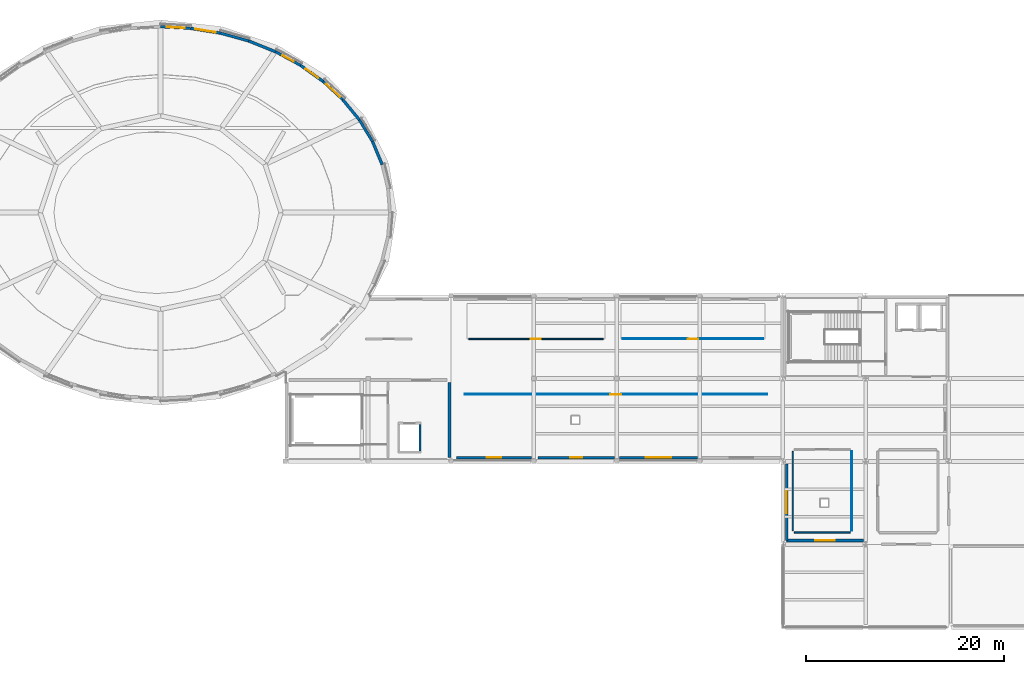
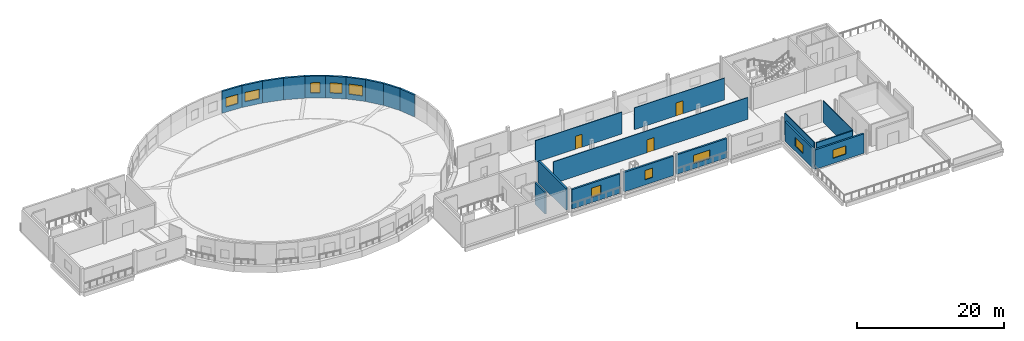
# One storey, part 9 of 16: 23 walls, 10 windows, 3 doors, 13 openings.
"""IFC4 building model written with IfcOpenShell, lengths in metres."""

from ifc_helpers import new_model, si_unit, derived_unit, direction, frame, frame_2d, origin, place, context, subcontext, project, spatial, rectangle, extrude, material, layer, layer_set, type_object, element, fill, save


model = new_model("IFC4")

# Units and contexts
model_context = context("Model", 3, precision=1e-05, world=origin(), true_north=direction((0.0, 1.0)))
body_context = subcontext(model_context, "Body", "Model", "MODEL_VIEW")
ifc_project = project(units=[si_unit("LENGTHUNIT", "METRE"), si_unit("AREAUNIT", "SQUARE_METRE"), si_unit("VOLUMEUNIT", "CUBIC_METRE"), si_unit("PLANEANGLEUNIT", "RADIAN"), si_unit("MASSUNIT", "GRAM", prefix="KILO"), derived_unit("THERMALTRANSMITTANCEUNIT", [(si_unit("POWERUNIT", "WATT"), 1), (si_unit("LENGTHUNIT", "METRE"), -2), (si_unit("THERMODYNAMICTEMPERATUREUNIT", "KELVIN"), -1)])], contexts=[model_context])

# Site, building, storey
site_placement = place(None, origin())
site = spatial("IfcSite", under=ifc_project, at=site_placement, CompositionType="ELEMENT")
building_placement = place(site_placement, origin())
building = spatial("IfcBuilding", under=site, at=building_placement, Name="Elbkamm Science Centre", CompositionType="ELEMENT")
storey_placement = place(building_placement, frame((0.0, 0.0, 21.60009765625)))
storey = spatial("IfcBuildingStorey", under=building, at=storey_placement, Name="L05", CompositionType="ELEMENT", Elevation=21.60009765625)

# Wall
ifc_material_1 = material(Name="Reinforced concrete C40/50", Category="concrete")
ifc_layer_1 = layer(ifc_material_1, 0.300048828125)
ifc_layer_set_1 = layer_set([ifc_layer_1], Name="Reinforced concrete C40/50")
wall_type_1 = type_object("IfcWallType", Name="WL-CORE-300", PredefinedType="SHEAR", material=ifc_layer_set_1)
wall_1_placement = place(storey_placement, frame((92.25, 42.419921875, 0.0), z_axis=(0.0, 0.0, 1.0), x_axis=(0.0, 1.0, 0.0)))
element("IfcWall", 1, at=wall_1_placement, inside=storey, type_object=wall_type_1, Name="L05 Core C2 Central Exhibition and Skybridge Core Shear Wall E", PredefinedType="SHEAR", context=body_context, shape_type="SweptSolid", body=[
    extrude(rectangle(XDim=7.56005859375, YDim=0.300048828125, at=frame_2d((3.780029296875, 0.0))), origin(), (0.0, 0.0, 1.0), 3.639892578125),
])

# Wall, opening, window
ifc_material_2 = material(Name="White precast concrete C40/50", Category="concrete")
ifc_layer_2 = layer(ifc_material_2, 0.27001953125)
ifc_layer_set_2 = layer_set([ifc_layer_2], Name="White precast concrete C40/50")
wall_type_2 = type_object("IfcWallType", Name="WL-EXT-270", PredefinedType="SOLIDWALL", material=ifc_layer_set_2)
wall_2_placement = place(storey_placement, frame((63.0, 86.01953125, 0.0), z_axis=(0.0, 0.0, 1.0), x_axis=(0.998581032149, -0.053253377668, 0.0)))
wall_2 = element("IfcWall", 2, at=wall_2_placement, inside=storey, type_object=wall_type_2, Name="L05 Exterior Wall 0319", PredefinedType="SOLIDWALL", context=body_context, shape_type="SweptSolid", body=[
    extrude(rectangle(XDim=3.044189453125, YDim=0.27001953125, at=frame_2d((1.52197265625, 0.0))), origin(), (0.0, 0.0, 1.0), 3.639892578125),
])
opening_1_placement = place(wall_2_placement, frame((0.6220703125, 0.0, 0.85009765625)))
opening_1 = element("IfcOpeningElement", 3, at=opening_1_placement, cuts=wall_2, Name="Opening W-11", PredefinedType="OPENING", context=body_context, shape_type="SweptSolid", body=[
    extrude(rectangle(XDim=1.800048828125, YDim=1.550048828125, at=frame_2d((0.89990234375, 0.77490234375))), frame((0.0, 0.14697265625, 0.0), z_axis=(0.0, -1.0, 0.0), x_axis=(1.0, 0.0, 0.0)), (0.0, 0.0, 1.0), 0.2939453125),
])
ifc_material_3 = material(Name="Thermally broken aluminium and triple solar glass", Category="aluminium")
ifc_layer_3 = layer(ifc_material_3, 0.06005859375)
ifc_layer_set_3 = layer_set([ifc_layer_3], Name="Thermally broken aluminium and triple solar glass")
window_type_1 = type_object("IfcWindowType", Name="WIN-1800x1550", PartitioningType="DOUBLE_PANEL_VERTICAL", PredefinedType="WINDOW", material=ifc_layer_set_3)
window_1_placement = place(opening_1_placement, origin())
window_1 = element("IfcWindow", 4, at=window_1_placement, inside=storey, type_object=window_type_1, Name="L05 Facade Window 0090", OverallHeight=1.550048828125, OverallWidth=1.800048828125, PartitioningType="SINGLE_PANEL", PredefinedType="WINDOW", context=body_context, shape_type="SweptSolid", body=[
    extrude(rectangle(XDim=1.800048828125, YDim=1.550048828125, at=frame_2d((0.89990234375, 0.77490234375))), frame((0.0, 0.030029296875, 0.0), z_axis=(0.0, -1.0, 0.0), x_axis=(1.0, 0.0, 0.0)), (0.0, 0.0, 1.0), 0.06005859375),
])
fill(opening_1, window_1)

# Wall
wall_3_placement = place(storey_placement, frame((69.02685546875, 85.3740234375, 0.0), z_axis=(0.0, 0.0, 1.0), x_axis=(0.963916809665, -0.26620365145, 0.0)))
element("IfcWall", 5, at=wall_3_placement, inside=storey, type_object=wall_type_2, Name="L05 Exterior Wall 0321", PredefinedType="SOLIDWALL", context=body_context, shape_type="SweptSolid", body=[
    extrude(rectangle(XDim=2.99072265625, YDim=0.27001953125, at=frame_2d((1.495361328125, 0.0))), origin(), (0.0, 0.0, 1.0), 3.639892578125),
])

# Wall, opening, window
wall_4_placement = place(storey_placement, frame((74.637939453125, 83.4833984375, 0.0), z_axis=(0.0, 0.0, 1.0), x_axis=(0.878572636194, -0.477608755083, 0.0)))
wall_4 = element("IfcWall", 6, at=wall_4_placement, inside=storey, type_object=wall_type_2, Name="L05 Exterior Wall 0323", PredefinedType="SOLIDWALL", context=body_context, shape_type="SweptSolid", body=[
    extrude(rectangle(XDim=2.87646484375, YDim=0.27001953125, at=frame_2d((1.438232421875, 0.0))), origin(), (0.0, 0.0, 1.0), 3.639892578125),
])
opening_2_placement = place(wall_4_placement, frame((0.7880859375, 0.0, 0.85009765625)))
opening_2 = element("IfcOpeningElement", 7, at=opening_2_placement, cuts=wall_4, Name="Opening W-15", PredefinedType="OPENING", context=body_context, shape_type="SweptSolid", body=[
    extrude(rectangle(XDim=1.300048828125, YDim=1.699951171875, at=frame_2d((0.64990234375, 0.85009765625))), frame((0.0, 0.14697265625, 0.0), z_axis=(0.0, -1.0, 0.0), x_axis=(1.0, 0.0, 0.0)), (0.0, 0.0, 1.0), 0.2939453125),
])
ifc_layer_4 = layer(ifc_material_3, 0.06005859375)
ifc_layer_set_4 = layer_set([ifc_layer_4], Name="Thermally broken aluminium and triple solar glass")
window_type_2 = type_object("IfcWindowType", Name="WIN-1300x1700", PartitioningType="SINGLE_PANEL", PredefinedType="WINDOW", material=ifc_layer_set_4)
window_2_placement = place(opening_2_placement, origin())
window_2 = element("IfcWindow", 8, at=window_2_placement, inside=storey, type_object=window_type_2, Name="L05 Facade Window 0094", OverallHeight=1.699951171875, OverallWidth=1.300048828125, PartitioningType="SINGLE_PANEL", PredefinedType="WINDOW", context=body_context, shape_type="SweptSolid", body=[
    extrude(rectangle(XDim=1.300048828125, YDim=1.699951171875, at=frame_2d((0.64990234375, 0.85009765625))), frame((0.0, 0.030029296875, 0.0), z_axis=(0.0, -1.0, 0.0), x_axis=(1.0, 0.0, 0.0)), (0.0, 0.0, 1.0), 0.06005859375),
])
fill(opening_2, window_2)

wall_5_placement = place(storey_placement, frame((79.447021484375, 80.481201171875, 0.0), z_axis=(0.0, 0.0, 1.0), x_axis=(0.733160179317, -0.680055991418, 0.0)))
wall_5 = element("IfcWall", 9, at=wall_5_placement, inside=storey, type_object=wall_type_2, Name="L05 Exterior Wall 0325", PredefinedType="SOLIDWALL", context=body_context, shape_type="SweptSolid", body=[
    extrude(rectangle(XDim=2.726318359375, YDim=0.27001953125, at=frame_2d((1.36328125, 0.0))), origin(), (0.0, 0.0, 1.0), 3.639892578125),
])
opening_3_placement = place(wall_5_placement, frame((0.4130859375, 0.0, 0.85009765625)))
opening_3 = element("IfcOpeningElement", 10, at=opening_3_placement, cuts=wall_5, Name="Opening W-17", PredefinedType="OPENING", context=body_context, shape_type="SweptSolid", body=[
    extrude(rectangle(XDim=1.89990234375, YDim=1.699951171875, at=frame_2d((0.949951171875, 0.85009765625))), frame((0.0, 0.14697265625, 0.0), z_axis=(0.0, -1.0, 0.0), x_axis=(1.0, 0.0, 0.0)), (0.0, 0.0, 1.0), 0.2939453125),
])
ifc_layer_5 = layer(ifc_material_3, 0.06005859375)
ifc_layer_set_5 = layer_set([ifc_layer_5], Name="Thermally broken aluminium and triple solar glass")
window_type_3 = type_object("IfcWindowType", Name="WIN-1900x1700", PartitioningType="DOUBLE_PANEL_VERTICAL", PredefinedType="WINDOW", material=ifc_layer_set_5)
window_3_placement = place(opening_3_placement, origin())
window_3 = element("IfcWindow", 11, at=window_3_placement, inside=storey, type_object=window_type_3, Name="L05 Facade Window 0096", OverallHeight=1.699951171875, OverallWidth=1.89990234375, PartitioningType="SINGLE_PANEL", PredefinedType="WINDOW", context=body_context, shape_type="SweptSolid", body=[
    extrude(rectangle(XDim=1.89990234375, YDim=1.699951171875, at=frame_2d((0.949951171875, 0.85009765625))), frame((0.0, 0.030029296875, 0.0), z_axis=(0.0, -1.0, 0.0), x_axis=(1.0, 0.0, 0.0)), (0.0, 0.0, 1.0), 0.06005859375),
])
fill(opening_3, window_3)

# Wall
wall_6_placement = place(storey_placement, frame((83.127197265625, 76.579833984375, 0.0), z_axis=(0.0, 0.0, 1.0), x_axis=(0.518417130332, -0.855127872881, 0.0)))
element("IfcWall", 12, at=wall_6_placement, inside=storey, type_object=wall_type_2, Name="L05 Exterior Wall 0327", PredefinedType="SOLIDWALL", context=body_context, shape_type="SweptSolid", body=[
    extrude(rectangle(XDim=2.578369140625, YDim=0.27001953125, at=frame_2d((1.2890625, 0.0))), origin(), (0.0, 0.0, 1.0), 3.639892578125),
])

# Wall, opening, window
wall_7_placement = place(storey_placement, frame((126.3798828125, 33.97998046875, 0.0), z_axis=(0.0, 0.0, 1.0), x_axis=(0.0, 1.0, 0.0)))
wall_7 = element("IfcWall", 13, at=wall_7_placement, inside=storey, type_object=wall_type_2, Name="L05 Exterior Wall 0341", PredefinedType="SOLIDWALL", context=body_context, shape_type="SweptSolid", body=[
    extrude(rectangle(XDim=7.781005859375, YDim=0.27001953125, at=frame_2d((3.890625, 0.0))), origin(), (0.0, 0.0, 1.0), 3.239990234375),
])
opening_4_placement = place(wall_7_placement, frame((2.79052734375, 0.0, 0.85009765625)))
opening_4 = element("IfcOpeningElement", 14, at=opening_4_placement, cuts=wall_7, Name="Opening W-06", PredefinedType="OPENING", context=body_context, shape_type="SweptSolid", body=[
    extrude(rectangle(XDim=2.199951171875, YDim=1.39990234375, at=frame_2d((1.10009765625, 0.699951171875))), frame((0.0, 0.14697265625, 0.0), z_axis=(0.0, -1.0, 0.0), x_axis=(1.0, 0.0, 0.0)), (0.0, 0.0, 1.0), 0.2939453125),
])
ifc_layer_6 = layer(ifc_material_3, 0.06005859375)
ifc_layer_set_6 = layer_set([ifc_layer_6], Name="Thermally broken aluminium and triple solar glass")
window_type_4 = type_object("IfcWindowType", Name="WIN-2200x1400", PartitioningType="DOUBLE_PANEL_VERTICAL", PredefinedType="WINDOW", material=ifc_layer_set_6)
window_4_placement = place(opening_4_placement, origin())
window_4 = element("IfcWindow", 15, at=window_4_placement, inside=storey, type_object=window_type_4, Name="L05 Facade Window 0105", OverallHeight=1.39990234375, OverallWidth=2.199951171875, PartitioningType="SINGLE_PANEL", PredefinedType="WINDOW", context=body_context, shape_type="SweptSolid", body=[
    extrude(rectangle(XDim=2.199951171875, YDim=1.39990234375, at=frame_2d((1.10009765625, 0.699951171875))), frame((0.0, 0.030029296875, 0.0), z_axis=(0.0, -1.0, 0.0), x_axis=(1.0, 0.0, 0.0)), (0.0, 0.0, 1.0), 0.06005859375),
])
fill(opening_4, window_4)

wall_8_placement = place(storey_placement, frame((117.36083984375, 42.3798828125, 0.0), z_axis=(0.0, 0.0, 1.0), x_axis=(-1.0, 0.0, 0.0)))
wall_8 = element("IfcWall", 16, at=wall_8_placement, inside=storey, type_object=wall_type_2, Name="L05 Exterior Wall 0343", PredefinedType="SOLIDWALL", context=body_context, shape_type="SweptSolid", body=[
    extrude(rectangle(XDim=7.921630859375, YDim=0.27001953125, at=frame_2d((3.9609375, 0.0))), origin(), (0.0, 0.0, 1.0), 3.239990234375),
])
opening_5_placement = place(wall_8_placement, frame((2.660888671875, 0.0, 0.85009765625)))
opening_5 = element("IfcOpeningElement", 17, at=opening_5_placement, cuts=wall_8, Name="Opening W-08", PredefinedType="OPENING", context=body_context, shape_type="SweptSolid", body=[
    extrude(rectangle(XDim=2.60009765625, YDim=1.39990234375, at=frame_2d((1.300048828125, 0.699951171875))), frame((0.0, 0.14697265625, 0.0), z_axis=(0.0, -1.0, 0.0), x_axis=(1.0, 0.0, 0.0)), (0.0, 0.0, 1.0), 0.2939453125),
])
ifc_layer_7 = layer(ifc_material_3, 0.06005859375)
ifc_layer_set_7 = layer_set([ifc_layer_7], Name="Thermally broken aluminium and triple solar glass")
window_type_5 = type_object("IfcWindowType", Name="WIN-2600x1400", PartitioningType="DOUBLE_PANEL_VERTICAL", PredefinedType="WINDOW", material=ifc_layer_set_7)
window_5_placement = place(opening_5_placement, origin())
window_5 = element("IfcWindow", 18, at=window_5_placement, inside=storey, type_object=window_type_5, Name="L05 Facade Window 0107", OverallHeight=1.39990234375, OverallWidth=2.60009765625, PartitioningType="SINGLE_PANEL", PredefinedType="WINDOW", context=body_context, shape_type="SweptSolid", body=[
    extrude(rectangle(XDim=2.60009765625, YDim=1.39990234375, at=frame_2d((1.300048828125, 0.699951171875))), frame((0.0, 0.030029296875, 0.0), z_axis=(0.0, -1.0, 0.0), x_axis=(1.0, 0.0, 0.0)), (0.0, 0.0, 1.0), 0.06005859375),
])
fill(opening_5, window_5)

wall_9_placement = place(storey_placement, frame((100.560791015625, 42.3798828125, 0.0), z_axis=(0.0, 0.0, 1.0), x_axis=(-1.0, 0.0, 0.0)))
wall_9 = element("IfcWall", 19, at=wall_9_placement, inside=storey, type_object=wall_type_2, Name="L05 Exterior Wall 0345", PredefinedType="SOLIDWALL", context=body_context, shape_type="SweptSolid", body=[
    extrude(rectangle(XDim=7.61083984375, YDim=0.27001953125, at=frame_2d((3.805419921875, 0.0))), origin(), (0.0, 0.0, 1.0), 3.239990234375),
])
opening_6_placement = place(wall_9_placement, frame((3.055419921875, 0.0, 0.85009765625)))
opening_6 = element("IfcOpeningElement", 20, at=opening_6_placement, cuts=wall_9, Name="Opening W-10", PredefinedType="OPENING", context=body_context, shape_type="SweptSolid", body=[
    extrude(rectangle(XDim=1.5, YDim=1.550048828125, at=frame_2d((0.75, 0.77490234375))), frame((0.0, 0.14697265625, 0.0), z_axis=(0.0, -1.0, 0.0), x_axis=(1.0, 0.0, 0.0)), (0.0, 0.0, 1.0), 0.2939453125),
])
ifc_layer_8 = layer(ifc_material_3, 0.06005859375)
ifc_layer_set_8 = layer_set([ifc_layer_8], Name="Thermally broken aluminium and triple solar glass")
window_type_6 = type_object("IfcWindowType", Name="WIN-1500x1550", PartitioningType="SINGLE_PANEL", PredefinedType="WINDOW", material=ifc_layer_set_8)
window_6_placement = place(opening_6_placement, origin())
window_6 = element("IfcWindow", 21, at=window_6_placement, inside=storey, type_object=window_type_6, Name="L05 Facade Window 0109", OverallHeight=1.550048828125, OverallWidth=1.5, PartitioningType="SINGLE_PANEL", PredefinedType="WINDOW", context=body_context, shape_type="SweptSolid", body=[
    extrude(rectangle(XDim=1.5, YDim=1.550048828125, at=frame_2d((0.75, 0.77490234375))), frame((0.0, 0.030029296875, 0.0), z_axis=(0.0, -1.0, 0.0), x_axis=(1.0, 0.0, 0.0)), (0.0, 0.0, 1.0), 0.06005859375),
])
fill(opening_6, window_6)

ifc_layer_9 = layer(ifc_material_2, 0.2900390625)
ifc_layer_set_9 = layer_set([ifc_layer_9], Name="White precast concrete C40/50")
wall_type_3 = type_object("IfcWallType", Name="WL-EXT-290", PredefinedType="SOLIDWALL", material=ifc_layer_set_9)
wall_10_placement = place(storey_placement, frame((66.039794921875, 85.857421875, 0.0), z_axis=(0.0, 0.0, 1.0), x_axis=(0.987157109387, -0.159752437809, 0.0)))
wall_10 = element("IfcWall", 22, at=wall_10_placement, inside=storey, type_object=wall_type_3, Name="L05 Exterior Wall 0320", PredefinedType="SOLIDWALL", context=body_context, shape_type="SweptSolid", body=[
    extrude(rectangle(XDim=3.02587890625, YDim=0.2900390625, at=frame_2d((1.512939453125, 0.0))), origin(), (0.0, 0.0, 1.0), 3.639892578125),
])
opening_7_placement = place(wall_10_placement, frame((0.462890625, 0.0, 0.85009765625)))
opening_7 = element("IfcOpeningElement", 23, at=opening_7_placement, cuts=wall_10, Name="Opening W-12", PredefinedType="OPENING", context=body_context, shape_type="SweptSolid", body=[
    extrude(rectangle(XDim=2.10009765625, YDim=1.550048828125, at=frame_2d((1.050048828125, 0.77490234375))), frame((0.0, 0.156982421875, 0.0), z_axis=(0.0, -1.0, 0.0), x_axis=(1.0, 0.0, 0.0)), (0.0, 0.0, 1.0), 0.31396484375),
])
ifc_layer_10 = layer(ifc_material_3, 0.06005859375)
ifc_layer_set_10 = layer_set([ifc_layer_10], Name="Thermally broken aluminium and triple solar glass")
window_type_7 = type_object("IfcWindowType", Name="WIN-2100x1550", PartitioningType="DOUBLE_PANEL_VERTICAL", PredefinedType="WINDOW", material=ifc_layer_set_10)
window_7_placement = place(opening_7_placement, origin())
window_7 = element("IfcWindow", 24, at=window_7_placement, inside=storey, type_object=window_type_7, Name="L05 Facade Window 0091", OverallHeight=1.550048828125, OverallWidth=2.10009765625, PartitioningType="SINGLE_PANEL", PredefinedType="WINDOW", context=body_context, shape_type="SweptSolid", body=[
    extrude(rectangle(XDim=2.10009765625, YDim=1.550048828125, at=frame_2d((1.050048828125, 0.77490234375))), frame((0.0, 0.030029296875, 0.0), z_axis=(0.0, -1.0, 0.0), x_axis=(1.0, 0.0, 0.0)), (0.0, 0.0, 1.0), 0.06005859375),
])
fill(opening_7, window_7)

# Wall
wall_11_placement = place(storey_placement, frame((71.90966796875, 84.577880859375, 0.0), z_axis=(0.0, 0.0, 1.0), x_axis=(0.928103923172, -0.372321242736, 0.0)))
element("IfcWall", 25, at=wall_11_placement, inside=storey, type_object=wall_type_3, Name="L05 Exterior Wall 0322", PredefinedType="SOLIDWALL", context=body_context, shape_type="SweptSolid", body=[
    extrude(rectangle(XDim=2.939697265625, YDim=0.2900390625, at=frame_2d((1.4697265625, 0.0))), origin(), (0.0, 0.0, 1.0), 3.639892578125),
])

# Wall, opening, window
wall_12_placement = place(storey_placement, frame((77.1650390625, 82.109619140625, 0.0), z_axis=(0.0, 0.0, 1.0), x_axis=(0.813998177016, -0.580867427056, 0.0)))
wall_12 = element("IfcWall", 26, at=wall_12_placement, inside=storey, type_object=wall_type_3, Name="L05 Exterior Wall 0324", PredefinedType="SOLIDWALL", context=body_context, shape_type="SweptSolid", body=[
    extrude(rectangle(XDim=2.803466796875, YDim=0.2900390625, at=frame_2d((1.40185546875, 0.0))), origin(), (0.0, 0.0, 1.0), 3.639892578125),
])
opening_8_placement = place(wall_12_placement, frame((0.601806640625, 0.0, 0.85009765625)))
opening_8 = element("IfcOpeningElement", 27, at=opening_8_placement, cuts=wall_12, Name="Opening W-16", PredefinedType="OPENING", context=body_context, shape_type="SweptSolid", body=[
    extrude(rectangle(XDim=1.60009765625, YDim=1.699951171875, at=frame_2d((0.800048828125, 0.85009765625))), frame((0.0, 0.156982421875, 0.0), z_axis=(0.0, -1.0, 0.0), x_axis=(1.0, 0.0, 0.0)), (0.0, 0.0, 1.0), 0.31396484375),
])
ifc_layer_11 = layer(ifc_material_3, 0.06005859375)
ifc_layer_set_11 = layer_set([ifc_layer_11], Name="Thermally broken aluminium and triple solar glass")
window_type_8 = type_object("IfcWindowType", Name="WIN-1600x1700", PartitioningType="SINGLE_PANEL", PredefinedType="WINDOW", material=ifc_layer_set_11)
window_8_placement = place(opening_8_placement, origin())
window_8 = element("IfcWindow", 28, at=window_8_placement, inside=storey, type_object=window_type_8, Name="L05 Facade Window 0095", OverallHeight=1.699951171875, OverallWidth=1.60009765625, PartitioningType="SINGLE_PANEL", PredefinedType="WINDOW", context=body_context, shape_type="SweptSolid", body=[
    extrude(rectangle(XDim=1.60009765625, YDim=1.699951171875, at=frame_2d((0.800048828125, 0.85009765625))), frame((0.0, 0.030029296875, 0.0), z_axis=(0.0, -1.0, 0.0), x_axis=(1.0, 0.0, 0.0)), (0.0, 0.0, 1.0), 0.06005859375),
])
fill(opening_8, window_8)

# Walls
wall_13_placement = place(storey_placement, frame((81.44580078125, 78.627197265625, 0.0), z_axis=(0.0, 0.0, 1.0), x_axis=(0.634656882202, -0.772794048809, 0.0)))
element("IfcWall", 29, at=wall_13_placement, inside=storey, type_object=wall_type_3, Name="L05 Exterior Wall 0326", PredefinedType="SOLIDWALL", context=body_context, shape_type="SweptSolid", body=[
    extrude(rectangle(XDim=2.6494140625, YDim=0.2900390625, at=frame_2d((1.32470703125, 0.0))), origin(), (0.0, 0.0, 1.0), 3.639892578125),
])
wall_14_placement = place(storey_placement, frame((84.4638671875, 74.375, 0.0), z_axis=(0.0, 0.0, 1.0), x_axis=(0.384986995728, -0.922921997311, 0.0)))
element("IfcWall", 30, at=wall_14_placement, inside=storey, type_object=wall_type_3, Name="L05 Exterior Wall 0328", PredefinedType="SOLIDWALL", context=body_context, shape_type="SweptSolid", body=[
    extrude(rectangle(XDim=2.518798828125, YDim=0.2900390625, at=frame_2d((1.25927734375, 0.0))), origin(), (0.0, 0.0, 1.0), 3.639892578125),
])

# Wall, opening, window
wall_15_placement = place(storey_placement, frame((134.160888671875, 33.97998046875, 0.0), z_axis=(0.0, 0.0, 1.0), x_axis=(-1.0, 0.0, 0.0)))
wall_15 = element("IfcWall", 31, at=wall_15_placement, inside=storey, type_object=wall_type_3, Name="L05 Exterior Wall 0340", PredefinedType="SOLIDWALL", context=body_context, shape_type="SweptSolid", body=[
    extrude(rectangle(XDim=7.781005859375, YDim=0.2900390625, at=frame_2d((3.890625, 0.0))), origin(), (0.0, 0.0, 1.0), 3.239990234375),
])
opening_9_placement = place(wall_15_placement, frame((2.890380859375, 0.0, 0.85009765625)))
opening_9 = element("IfcOpeningElement", 32, at=opening_9_placement, cuts=wall_15, Name="Opening W-05", PredefinedType="OPENING", context=body_context, shape_type="SweptSolid", body=[
    extrude(rectangle(XDim=2.0, YDim=1.39990234375, at=frame_2d((1.0, 0.699951171875))), frame((0.0, 0.156982421875, 0.0), z_axis=(0.0, -1.0, 0.0), x_axis=(1.0, 0.0, 0.0)), (0.0, 0.0, 1.0), 0.31396484375),
])
ifc_layer_12 = layer(ifc_material_3, 0.06005859375)
ifc_layer_set_12 = layer_set([ifc_layer_12], Name="Thermally broken aluminium and triple solar glass")
window_type_9 = type_object("IfcWindowType", Name="WIN-2000x1400", PartitioningType="DOUBLE_PANEL_VERTICAL", PredefinedType="WINDOW", material=ifc_layer_set_12)
window_9_placement = place(opening_9_placement, origin())
window_9 = element("IfcWindow", 33, at=window_9_placement, inside=storey, type_object=window_type_9, Name="L05 Facade Window 0104", OverallHeight=1.39990234375, OverallWidth=2.0, PartitioningType="SINGLE_PANEL", PredefinedType="WINDOW", context=body_context, shape_type="SweptSolid", body=[
    extrude(rectangle(XDim=2.0, YDim=1.39990234375, at=frame_2d((1.0, 0.699951171875))), frame((0.0, 0.030029296875, 0.0), z_axis=(0.0, -1.0, 0.0), x_axis=(1.0, 0.0, 0.0)), (0.0, 0.0, 1.0), 0.06005859375),
])
fill(opening_9, window_9)

wall_16_placement = place(storey_placement, frame((108.9609375, 42.3798828125, 0.0), z_axis=(0.0, 0.0, 1.0), x_axis=(-1.0, 0.0, 0.0)))
wall_16 = element("IfcWall", 34, at=wall_16_placement, inside=storey, type_object=wall_type_3, Name="L05 Exterior Wall 0344", PredefinedType="SOLIDWALL", context=body_context, shape_type="SweptSolid", body=[
    extrude(rectangle(XDim=7.7734375, YDim=0.2900390625, at=frame_2d((3.88671875, 0.0))), origin(), (0.0, 0.0, 1.0), 3.239990234375),
])
opening_10_placement = place(wall_16_placement, frame((3.28662109375, 0.0, 0.85009765625)))
opening_10 = element("IfcOpeningElement", 35, at=opening_10_placement, cuts=wall_16, Name="Opening W-09", PredefinedType="OPENING", context=body_context, shape_type="SweptSolid", body=[
    extrude(rectangle(XDim=1.199951171875, YDim=1.550048828125, at=frame_2d((0.60009765625, 0.77490234375))), frame((0.0, 0.156982421875, 0.0), z_axis=(0.0, -1.0, 0.0), x_axis=(1.0, 0.0, 0.0)), (0.0, 0.0, 1.0), 0.31396484375),
])
ifc_layer_13 = layer(ifc_material_3, 0.06005859375)
ifc_layer_set_13 = layer_set([ifc_layer_13], Name="Thermally broken aluminium and triple solar glass")
window_type_10 = type_object("IfcWindowType", Name="WIN-1200x1550", PartitioningType="SINGLE_PANEL", PredefinedType="WINDOW", material=ifc_layer_set_13)
window_10_placement = place(opening_10_placement, origin())
window_10 = element("IfcWindow", 36, at=window_10_placement, inside=storey, type_object=window_type_10, Name="L05 Facade Window 0108", OverallHeight=1.550048828125, OverallWidth=1.199951171875, PartitioningType="SINGLE_PANEL", PredefinedType="WINDOW", context=body_context, shape_type="SweptSolid", body=[
    extrude(rectangle(XDim=1.199951171875, YDim=1.550048828125, at=frame_2d((0.60009765625, 0.77490234375))), frame((0.0, 0.030029296875, 0.0), z_axis=(0.0, -1.0, 0.0), x_axis=(1.0, 0.0, 0.0)), (0.0, 0.0, 1.0), 0.06005859375),
])
fill(opening_10, window_10)

# Wall
ifc_material_4 = material(Name="Drywall service partition", Category="gypsum")
ifc_layer_14 = layer(ifc_material_4, 0.10009765625)
ifc_layer_set_14 = layer_set([ifc_layer_14], Name="Drywall service partition")
wall_type_4 = type_object("IfcWallType", Name="WL-PART-100", PredefinedType="PARTITIONING", material=ifc_layer_set_14)
wall_17_placement = place(storey_placement, frame((133.0, 43.02001953125, 0.0), z_axis=(0.0, 0.0, 1.0), x_axis=(0.0, -1.0, 0.0)))
element("IfcWall", 37, at=wall_17_placement, inside=storey, type_object=wall_type_4, Name="L05 Observatory Telescope Chamber Partition 0263", PredefinedType="PARTITIONING", context=body_context, shape_type="SweptSolid", body=[
    extrude(rectangle(XDim=8.0400390625, YDim=0.10009765625, at=frame_2d((4.02001953125, 0.0))), origin(), (0.0, 0.0, 1.0), 3.639892578125),
])

# Wall, opening, door
wall_18_placement = place(storey_placement, frame((124.02001953125, 54.39990234375, 0.0), z_axis=(0.0, 0.0, 1.0), x_axis=(-1.0, 0.0, 0.0)))
wall_18 = element("IfcWall", 38, at=wall_18_placement, inside=storey, type_object=wall_type_4, Name="L05 Sky Terrace Lounge Partition 0271", PredefinedType="PARTITIONING", context=body_context, shape_type="SweptSolid", body=[
    extrude(rectangle(XDim=14.239990234375, YDim=0.10009765625, at=frame_2d((7.1201171875, 0.0))), origin(), (0.0, 0.0, 1.0), 3.639892578125),
])
opening_11_placement = place(wall_18_placement, frame((6.594970703125, 0.0, 0.0)))
opening_11 = element("IfcOpeningElement", 39, at=opening_11_placement, cuts=wall_18, Name="Opening DI-07", PredefinedType="OPENING", context=body_context, shape_type="SweptSolid", body=[
    extrude(rectangle(XDim=1.050048828125, YDim=2.14990234375, at=frame_2d((0.52490234375, 1.074951171875))), frame((0.0, 0.06201171875, 0.0), z_axis=(0.0, -1.0, 0.0), x_axis=(1.0, 0.0, 0.0)), (0.0, 0.0, 1.0), 0.1240234375),
])
ifc_material_5 = material(Name="Acoustic oak veneer door")
ifc_layer_15 = layer(ifc_material_5, 0.050048828125)
ifc_layer_set_15 = layer_set([ifc_layer_15], Name="Acoustic oak veneer door")
door_type_1 = type_object("IfcDoorType", Name="DR-INT-1050x2150", OperationType="NOTDEFINED", PredefinedType="DOOR", material=ifc_layer_set_15)
door_1_placement = place(opening_11_placement, origin())
door_1 = element("IfcDoor", 40, at=door_1_placement, inside=storey, type_object=door_type_1, Name="L05 Sky Terrace Lounge Door", OperationType="SINGLE_SWING_LEFT", OverallHeight=2.14990234375, OverallWidth=1.050048828125, PredefinedType="DOOR", context=body_context, shape_type="SweptSolid", body=[
    extrude(rectangle(XDim=1.050048828125, YDim=2.14990234375, at=frame_2d((0.52490234375, 1.074951171875))), frame((0.0, 0.02490234375, 0.0), z_axis=(0.0, -1.0, 0.0), x_axis=(1.0, 0.0, 0.0)), (0.0, 0.0, 1.0), 0.050048828125),
])
fill(opening_11, door_1)

wall_19_placement = place(storey_placement, frame((93.780029296875, 48.800048828125, 0.0), z_axis=(0.0, 0.0, 1.0), x_axis=(1.0, 0.0, 0.0)))
wall_19 = element("IfcWall", 41, at=wall_19_placement, inside=storey, type_object=wall_type_4, Name="L05 Skybridge Horizon Discovery Gallery Partition 0275", PredefinedType="PARTITIONING", context=body_context, shape_type="SweptSolid", body=[
    extrude(rectangle(XDim=30.639892578125, YDim=0.10009765625, at=frame_2d((15.31982421875, 0.0))), origin(), (0.0, 0.0, 1.0), 3.639892578125),
])
opening_12_placement = place(wall_19_placement, frame((14.77001953125, 0.0, 0.0)))
opening_12 = element("IfcOpeningElement", 42, at=opening_12_placement, cuts=wall_19, Name="Opening DI-06", PredefinedType="OPENING", context=body_context, shape_type="SweptSolid", body=[
    extrude(rectangle(XDim=1.10009765625, YDim=2.14990234375, at=frame_2d((0.550048828125, 1.074951171875))), frame((0.0, 0.06201171875, 0.0), z_axis=(0.0, -1.0, 0.0), x_axis=(1.0, 0.0, 0.0)), (0.0, 0.0, 1.0), 0.1240234375),
])
ifc_layer_16 = layer(ifc_material_5, 0.050048828125)
ifc_layer_set_16 = layer_set([ifc_layer_16], Name="Acoustic oak veneer door")
door_type_2 = type_object("IfcDoorType", Name="DR-INT-1100x2150", OperationType="NOTDEFINED", PredefinedType="DOOR", material=ifc_layer_set_16)
door_2_placement = place(opening_12_placement, origin())
door_2 = element("IfcDoor", 43, at=door_2_placement, inside=storey, type_object=door_type_2, Name="L05 Skybridge Horizon Discovery Gallery Door", OperationType="SINGLE_SWING_LEFT", OverallHeight=2.14990234375, OverallWidth=1.10009765625, PredefinedType="DOOR", context=body_context, shape_type="SweptSolid", body=[
    extrude(rectangle(XDim=1.10009765625, YDim=2.14990234375, at=frame_2d((0.550048828125, 1.074951171875))), frame((0.0, 0.02490234375, 0.0), z_axis=(0.0, -1.0, 0.0), x_axis=(1.0, 0.0, 0.0)), (0.0, 0.0, 1.0), 0.050048828125),
])
fill(opening_12, door_2)

ifc_material_6 = material(Name="Lightweight metal-stud gypsum partition", Category="gypsum")
ifc_layer_17 = layer(ifc_material_6, 0.125)
ifc_layer_set_17 = layer_set([ifc_layer_17], Name="Lightweight metal-stud gypsum partition")
wall_type_5 = type_object("IfcWallType", Name="WL-PART-125", PredefinedType="PARTITIONING", material=ifc_layer_set_17)
wall_20_placement = place(storey_placement, frame((107.820068359375, 54.39990234375, 0.0), z_axis=(0.0, 0.0, 1.0), x_axis=(-1.0, 0.0, 0.0)))
wall_20 = element("IfcWall", 44, at=wall_20_placement, inside=storey, type_object=wall_type_5, Name="L05 Astronomy Seminar Studio Partition 0270", PredefinedType="PARTITIONING", context=body_context, shape_type="SweptSolid", body=[
    extrude(rectangle(XDim=13.64013671875, YDim=0.125, at=frame_2d((6.820068359375, 0.0))), origin(), (0.0, 0.0, 1.0), 3.639892578125),
])
opening_13_placement = place(wall_20_placement, frame((6.320068359375, 0.0, 0.0)))
opening_13 = element("IfcOpeningElement", 45, at=opening_13_placement, cuts=wall_20, Name="Opening DI-08", PredefinedType="OPENING", context=body_context, shape_type="SweptSolid", body=[
    extrude(rectangle(XDim=1.0, YDim=2.14990234375, at=frame_2d((0.5, 1.074951171875))), frame((0.0, 0.074462890625, 0.0), z_axis=(0.0, -1.0, 0.0), x_axis=(1.0, 0.0, 0.0)), (0.0, 0.0, 1.0), 0.14892578125),
])
ifc_layer_18 = layer(ifc_material_5, 0.050048828125)
ifc_layer_set_18 = layer_set([ifc_layer_18], Name="Acoustic oak veneer door")
door_type_3 = type_object("IfcDoorType", Name="DR-INT-1000x2150", OperationType="NOTDEFINED", PredefinedType="DOOR", material=ifc_layer_set_18)
door_3_placement = place(opening_13_placement, origin())
door_3 = element("IfcDoor", 46, at=door_3_placement, inside=storey, type_object=door_type_3, Name="L05 Astronomy Seminar Studio Door", OperationType="SINGLE_SWING_RIGHT", OverallHeight=2.14990234375, OverallWidth=1.0, PredefinedType="DOOR", context=body_context, shape_type="SweptSolid", body=[
    extrude(rectangle(XDim=1.0, YDim=2.14990234375, at=frame_2d((0.5, 1.074951171875))), frame((0.0, 0.02490234375, 0.0), z_axis=(0.0, -1.0, 0.0), x_axis=(1.0, 0.0, 0.0)), (0.0, 0.0, 1.0), 0.050048828125),
])
fill(opening_13, door_3)

# Walls
ifc_material_7 = material(Name="Acoustic metal-stud gypsum partition", Category="gypsum")
ifc_layer_19 = layer(ifc_material_7, 0.139892578125)
ifc_layer_set_19 = layer_set([ifc_layer_19], Name="Acoustic metal-stud gypsum partition")
wall_type_6 = type_object("IfcWallType", Name="WL-PART-140", PredefinedType="PARTITIONING", material=ifc_layer_set_19)
wall_21_placement = place(storey_placement, frame((127.0, 34.97998046875, 0.0), z_axis=(0.0, 0.0, 1.0), x_axis=(0.0, 1.0, 0.0)))
element("IfcWall", 47, at=wall_21_placement, inside=storey, type_object=wall_type_6, Name="L05 Observatory Telescope Chamber Partition 0265", PredefinedType="PARTITIONING", context=body_context, shape_type="SweptSolid", body=[
    extrude(rectangle(XDim=8.0400390625, YDim=0.139892578125, at=frame_2d((4.02001953125, 0.0))), origin(), (0.0, 0.0, 1.0), 3.639892578125),
])
ifc_layer_20 = layer(ifc_material_7, 0.159912109375)
ifc_layer_set_20 = layer_set([ifc_layer_20], Name="Acoustic metal-stud gypsum partition")
wall_type_7 = type_object("IfcWallType", Name="WL-PART-160", PredefinedType="PARTITIONING", material=ifc_layer_set_20)
wall_22_placement = place(storey_placement, frame((132.820068359375, 34.800048828125, 0.0), z_axis=(0.0, 0.0, 1.0), x_axis=(-1.0, 0.0, 0.0)))
element("IfcWall", 48, at=wall_22_placement, inside=storey, type_object=wall_type_7, Name="L05 Observatory Telescope Chamber Partition 0264", PredefinedType="PARTITIONING", context=body_context, shape_type="SweptSolid", body=[
    extrude(rectangle(XDim=5.64013671875, YDim=0.159912109375, at=frame_2d((2.820068359375, 0.0))), origin(), (0.0, 0.0, 1.0), 3.639892578125),
])
ifc_layer_21 = layer(ifc_material_1, 0.219970703125)
ifc_layer_set_21 = layer_set([ifc_layer_21], Name="Reinforced concrete C40/50")
wall_type_8 = type_object("IfcWallType", Name="WL-SHAFT-220", PredefinedType="SOLIDWALL", material=ifc_layer_set_21)
wall_23_placement = place(storey_placement, frame((89.260009765625, 43.050048828125, 0.0), z_axis=(0.0, 0.0, 1.0), x_axis=(0.0, 1.0, 0.0)))
element("IfcWall", 49, at=wall_23_placement, inside=storey, type_object=wall_type_8, Name="L05 Lift FF2 Shaft East Wall", PredefinedType="SOLIDWALL", context=body_context, shape_type="SweptSolid", body=[
    extrude(rectangle(XDim=2.699951171875, YDim=0.219970703125, at=frame_2d((1.35009765625, 0.0))), origin(), (0.0, 0.0, 1.0), 3.639892578125),
])

save(model, "model.ifc")
